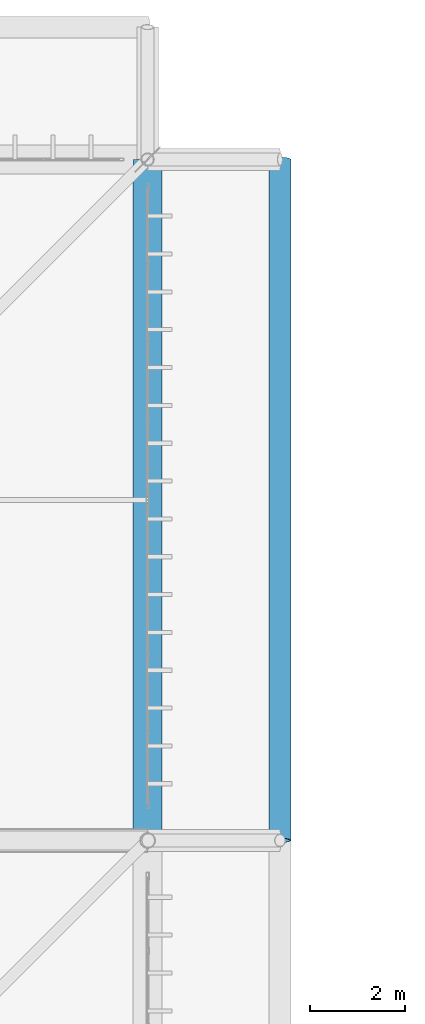
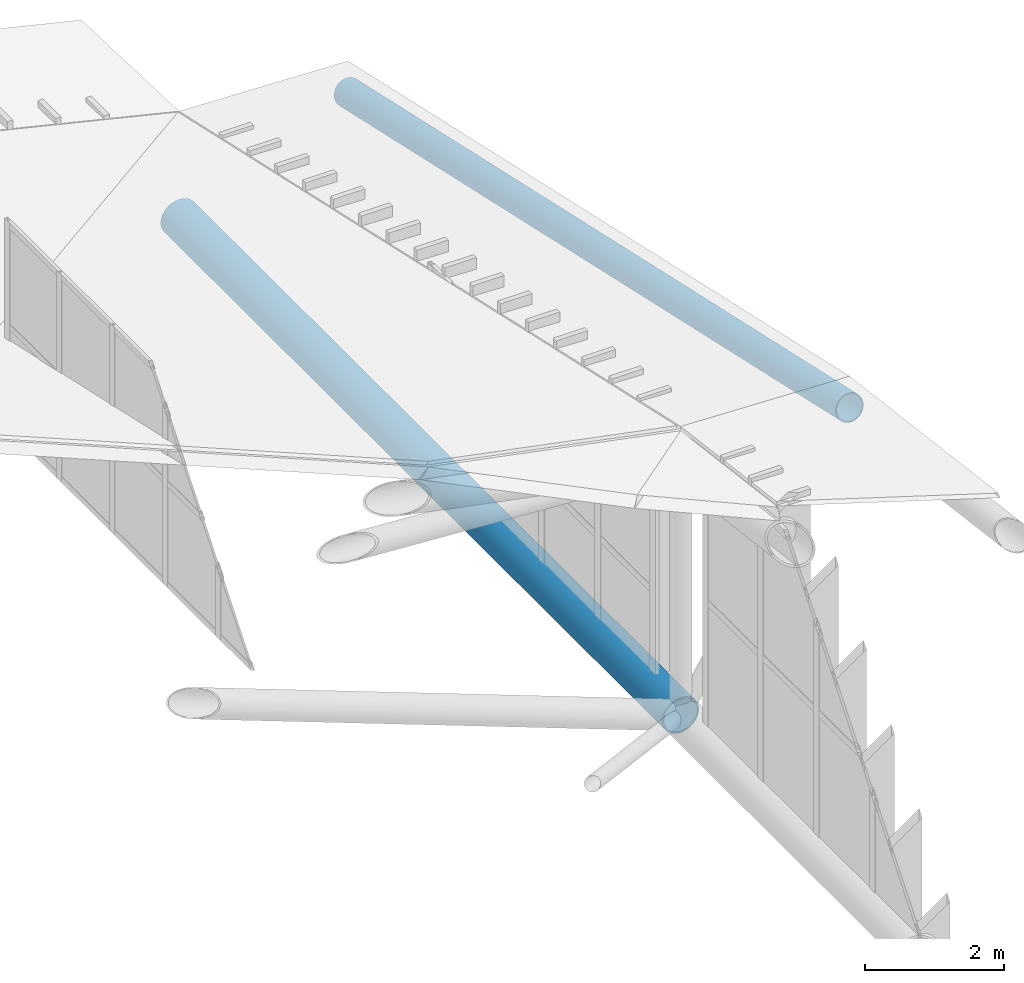
# One storey, part 347 of 397: 2 beams.
"""IFC4 building model written with IfcOpenShell, lengths in metres."""

from ifc_helpers import new_model, si_unit, direction, frame, origin, origin_2d, place, context, subcontext, project, spatial, hollow_circle, extrude, material, material_profile, profile_set, type_object, element, save


model = new_model("IFC4")

# Units and contexts
model_context = context("Model", 3, precision=1e-05, world=origin(), true_north=direction((0.0, 1.0)))
body_context = subcontext(model_context, "Body", "Model", "MODEL_VIEW")
ifc_project = project(units=[si_unit("LENGTHUNIT", "METRE"), si_unit("AREAUNIT", "SQUARE_METRE"), si_unit("VOLUMEUNIT", "CUBIC_METRE"), si_unit("PLANEANGLEUNIT", "RADIAN"), si_unit("MASSUNIT", "GRAM", prefix="KILO")], contexts=[model_context])

# Site, building, storey
site_placement = place(None, origin())
site = spatial("IfcSite", under=ifc_project, at=site_placement, CompositionType="ELEMENT")
building_placement = place(site_placement, origin())
building = spatial("IfcBuilding", under=site, at=building_placement, Name="Qandorah Velis Arena", CompositionType="ELEMENT")
storey_placement = place(building_placement, frame((0.0, 0.0, 27.5)))
storey = spatial("IfcBuildingStorey", under=building, at=storey_placement, Name="RF", CompositionType="ELEMENT", Elevation=27.5)

# Beams
ifc_material_1 = material(Name="Steel S355", Category="steel")
ifc_material_profile_1 = material_profile(ifc_material_1, hollow_circle(Radius=0.228515625, WallThickness=0.01611328125, at=origin_2d()), Name="CHS 457x16")
ifc_profile_set_1 = profile_set([ifc_material_profile_1], Name="Steel S355")
beam_type_1 = type_object("IfcBeamType", Name="STR-SFC-CHS457X16", PredefinedType="USERDEFINED", material=ifc_profile_set_1)
beam_1_placement = place(storey_placement, frame((118.0, 100.800048828125, 4.50830078125), z_axis=(0.0, 0.976068153523, -0.217464846995), x_axis=(-1.0, 0.0, 0.0)))
element("IfcBeam", 1, at=beam_1_placement, inside=storey, type_object=beam_type_1, Name="Space frame eave fascia ring E-6", ObjectType="ROOF TRUSS", PredefinedType="USERDEFINED", context=body_context, shape_type="SweptSolid", body=[
    extrude(hollow_circle(Radius=0.228515625, WallThickness=0.01611328125, at=origin_2d()), origin(), (0.0, 0.0, 1.0), 14.7529296875),
])
ifc_material_2 = material(Name="Steel S460", Category="steel")
ifc_material_profile_2 = material_profile(ifc_material_2, hollow_circle(Radius=0.304931640625, WallThickness=0.02490234375, at=origin_2d()), Name="CHS 610x25")
ifc_profile_set_2 = profile_set([ifc_material_profile_2], Name="Steel S460")
beam_type_2 = type_object("IfcBeamType", Name="STR-SFC-CHS610X25", PredefinedType="USERDEFINED", material=ifc_profile_set_2)
beam_2_placement = place(storey_placement, frame((115.199951171875, 100.800048828125, 0.10009765625), z_axis=(0.0, 1.0, 0.0), x_axis=(-1.0, 0.0, 0.0)))
element("IfcBeam", 2, at=beam_2_placement, inside=storey, type_object=beam_type_2, Name="Space frame roof truss bottom chord Y 7.6", ObjectType="ROOF TRUSS", PredefinedType="USERDEFINED", context=body_context, shape_type="SweptSolid", body=[
    extrude(hollow_circle(Radius=0.304931640625, WallThickness=0.02490234375, at=origin_2d()), origin(), (0.0, 0.0, 1.0), 14.39990234375),
])

save(model, "model.ifc")
